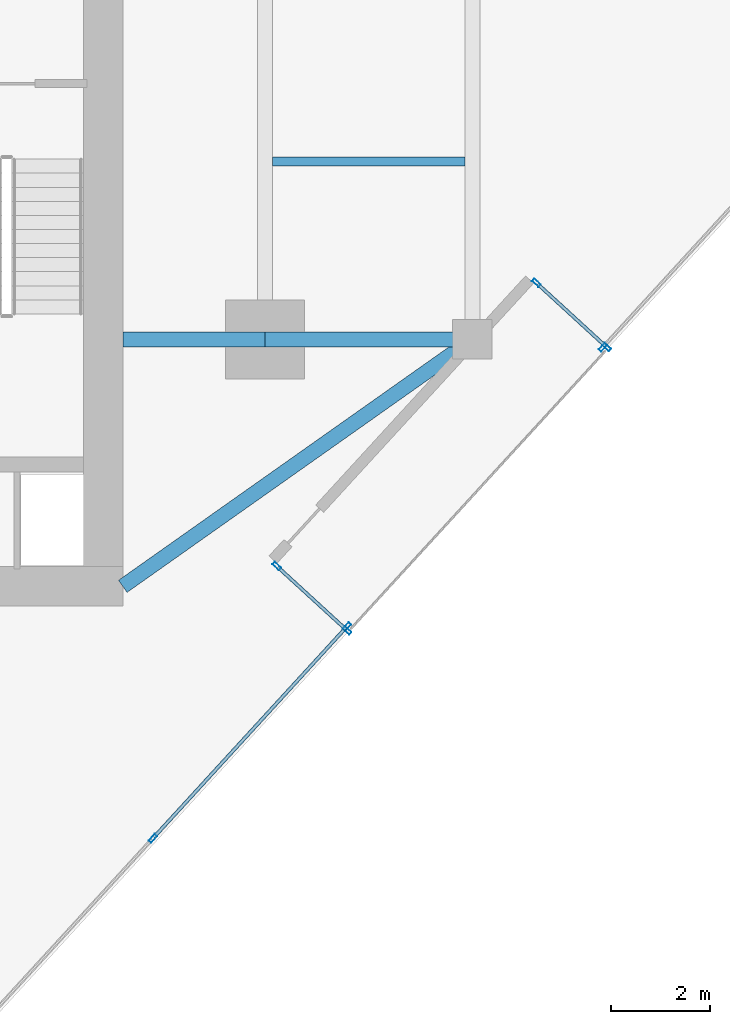
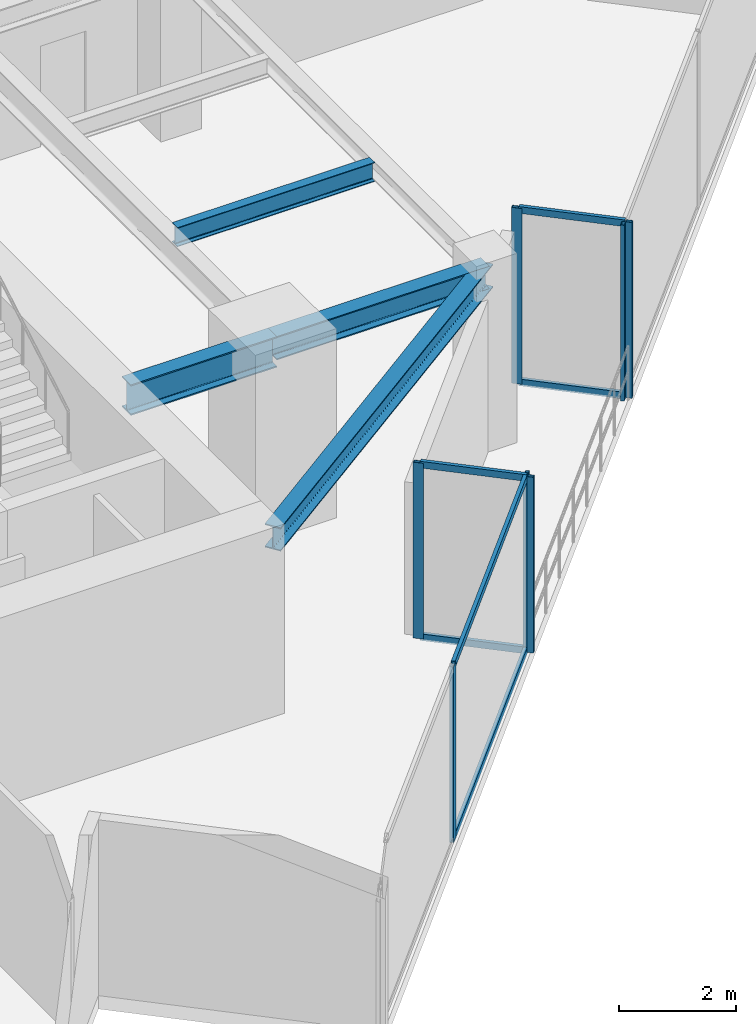
# One storey, part 10 of 26: 13 members, 4 beams, 4 elements without a shape of their own.
"""IFC4 building model written with IfcOpenShell, lengths in metres."""

import ifcopenshell
import ifcopenshell.guid

model = None  # the IFC model being written
_history = None  # IfcOwnerHistory: only IFC2X3 demands one
_inside = {}  # id of a spatial element -> (the spatial element, [elements in it])
_under = {}  # id of a project, library or spatial element -> (it, [spatial elements below it])
_declared = {}  # id of a project -> (the project, [libraries it declares])
_typed = {}  # id of a type object -> (the type object, [elements of that type])
_made_of = {}  # id of a material, layer set ... -> (it, [elements and type objects made of it])


def new_model(schema):
    """Start an empty IFC model of exactly this schema.

    Asked for "IFC4X3", IfcOpenShell would pick the latest addendum, in which some entities
    have other attributes; the version numbers below select the first issue.
    IFC2X3 requires an IfcOwnerHistory on every rooted entity: one is made here for all.
    """
    global model, _history
    if schema == "IFC4X3":
        model = ifcopenshell.file(schema_version=(4, 3, 0, 0))
    else:
        model = ifcopenshell.file(schema=schema)
    _inside.clear()
    _under.clear()
    _declared.clear()
    _typed.clear()
    _made_of.clear()
    _history = None
    if model.schema == "IFC2X3":
        org = make("IfcOrganization", Name="unknown")
        user = make(
            "IfcPersonAndOrganization",
            ThePerson=make("IfcPerson", FamilyName="unknown"),
            TheOrganization=org,
        )
        app = make(
            "IfcApplication",
            ApplicationDeveloper=org,
            Version="unknown",
            ApplicationFullName="unknown",
            ApplicationIdentifier="unknown",
        )
        _history = make(
            "IfcOwnerHistory",
            OwningUser=user,
            OwningApplication=app,
            ChangeAction="ADDED",
            CreationDate=0,
        )
    return model


def make(cls, **values):
    """One entity of the class cls with the attributes given. An attribute that is None is left unset."""
    return model.create_entity(
        cls, **{name: value for name, value in values.items() if value is not None}
    )


def rooted(cls, **values):
    """An entity with a GlobalId (a new one), such as an element, a storey or a relation."""
    return make(cls, GlobalId=ifcopenshell.guid.new(), OwnerHistory=_history, **values)


def si_unit(unit_type, name, prefix=None):
    """IfcSIUnit, for example si_unit("LENGTHUNIT", "METRE", prefix="MILLI")."""
    return make("IfcSIUnit", UnitType=unit_type, Prefix=prefix, Name=name)


def assignment(units):
    """IfcUnitAssignment: the units of a project."""
    return None if units is None else make("IfcUnitAssignment", Units=units)


def point(xyz):
    """IfcCartesianPoint."""
    return None if xyz is None else make("IfcCartesianPoint", Coordinates=xyz)


def direction(xyz):
    """IfcDirection."""
    return None if xyz is None else make("IfcDirection", DirectionRatios=xyz)


def frame(location, z_axis=None, x_axis=None):
    """IfcAxis2Placement3D, a coordinate frame: its origin and axes. An axis left out is left unset."""
    return make(
        "IfcAxis2Placement3D",
        Location=point(location),
        Axis=direction(z_axis),
        RefDirection=direction(x_axis),
    )


def frame_2d(location, x_axis=None):
    """IfcAxis2Placement2D, a coordinate frame in the plane: its origin and x axis."""
    return make(
        "IfcAxis2Placement2D", Location=point(location), RefDirection=direction(x_axis)
    )


def origin():
    """The frame at (0, 0, 0) with its axes left unset."""
    return frame((0.0, 0.0, 0.0))


def origin_2d():
    """The frame at (0, 0) in the plane with its x axis left unset."""
    return frame_2d((0.0, 0.0))


def place(relative_to, where):
    """IfcLocalPlacement: puts the frame where relative to a parent placement (None: the world)."""
    return make(
        "IfcLocalPlacement", PlacementRelTo=relative_to, RelativePlacement=where
    )


def context(
    kind, dimensions, precision=None, world=None, true_north=None, identifier=None
):
    """IfcGeometricRepresentationContext, for example the 3D "Model" context."""
    return make(
        "IfcGeometricRepresentationContext",
        ContextIdentifier=identifier,
        ContextType=kind,
        CoordinateSpaceDimension=dimensions,
        Precision=precision,
        WorldCoordinateSystem=world,
        TrueNorth=true_north,
    )


def subcontext(parent, identifier, kind, view, scale=None):
    """IfcGeometricRepresentationSubContext, for example "Body" below "Model"."""
    return make(
        "IfcGeometricRepresentationSubContext",
        ContextIdentifier=identifier,
        ContextType=kind,
        ParentContext=parent,
        TargetScale=scale,
        TargetView=view,
    )


def project(units=None, contexts=None):
    """IfcProject with its units and contexts."""
    return rooted(
        "IfcProject",
        Name="project",
        RepresentationContexts=contexts,
        UnitsInContext=assignment(units),
    )


def spatial(cls, under=None, at=None, **own):
    """A site, building, storey or space (cls), placed at a placement, below another one or the project."""
    s = rooted(cls, ObjectPlacement=at, **own)
    if under is not None:
        _under.setdefault(under.id(), (under, []))[1].append(s)
    return s


def profile(cls, at=None, kind="AREA", **sizes):
    """A parametric profile (cls). Its sizes go by their IFC names, for example OverallWidth=200.0."""
    return make(cls, ProfileType=kind, Position=at, **sizes)


def hollow_rectangle(**sizes):
    """IfcRectangleHollowProfileDef."""
    return profile("IfcRectangleHollowProfileDef", **sizes)


def i_section(**sizes):
    """IfcIShapeProfileDef."""
    return profile("IfcIShapeProfileDef", **sizes)


def extrude(swept, where, along, depth):
    """IfcExtrudedAreaSolid: the profile swept, set in the frame where, extruded along a direction by depth."""
    return make(
        "IfcExtrudedAreaSolid",
        SweptArea=swept,
        Position=where,
        ExtrudedDirection=direction(along),
        Depth=depth,
    )


def shape(context_of_items, identifier, shape_type, items):
    """IfcShapeRepresentation: the items that make up one representation, for example the "Body"."""
    return make(
        "IfcShapeRepresentation",
        ContextOfItems=context_of_items,
        RepresentationIdentifier=identifier,
        RepresentationType=shape_type,
        Items=items,
    )


def source(mapping_origin, context_of_items, identifier, shape_type, items):
    """IfcRepresentationMap: a shape defined once, which mapped items show again and again."""
    return make(
        "IfcRepresentationMap",
        MappingOrigin=mapping_origin,
        MappedRepresentation=shape(context_of_items, identifier, shape_type, items),
    )


def transform(
    local_origin,
    x_axis=None,
    y_axis=None,
    z_axis=None,
    scale=None,
    scale2=None,
    scale3=None,
    uniform=True,
):
    """IfcCartesianTransformationOperator3D, or its non-uniform kind. x_axis, y_axis, z_axis: its Axis1, 2, 3."""
    if uniform:
        return make(
            "IfcCartesianTransformationOperator3D",
            Axis1=direction(x_axis),
            Axis2=direction(y_axis),
            LocalOrigin=point(local_origin),
            Scale=scale,
            Axis3=direction(z_axis),
        )
    return make(
        "IfcCartesianTransformationOperator3DnonUniform",
        Axis1=direction(x_axis),
        Axis2=direction(y_axis),
        LocalOrigin=point(local_origin),
        Scale=scale,
        Axis3=direction(z_axis),
        Scale2=scale2,
        Scale3=scale3,
    )


def mapped(mapping_source, mapping_target):
    """IfcMappedItem: shows the shape of a source again, moved by a transform."""
    return make(
        "IfcMappedItem", MappingSource=mapping_source, MappingTarget=mapping_target
    )


def material(Name=None, Category=None):
    """IfcMaterial."""
    return make("IfcMaterial", Name=Name, Category=Category)


def material_profile(
    of_material, cross_section, Name=None, Category=None, Priority=None
):
    """IfcMaterialProfile: a cross section and its material."""
    return make(
        "IfcMaterialProfile",
        Name=Name,
        Material=of_material,
        Profile=cross_section,
        Priority=Priority,
        Category=Category,
    )


def profile_set(profiles, Name=None, composite=None):
    """IfcMaterialProfileSet."""
    return make(
        "IfcMaterialProfileSet",
        Name=Name,
        MaterialProfiles=profiles,
        CompositeProfile=composite,
    )


def made_of(thing, what):
    """Note that an element or type object is made of a material, layer set ...; save() writes the relation."""
    if what is not None:
        _made_of.setdefault(what.id(), (what, []))[1].append(thing)
    return thing


def type_object(cls, material=None, **own):
    """A type object (cls), such as IfcWallType, which elements share."""
    return made_of(rooted(cls, **own), material)


def type_shapes(of_type, sources):
    """Give a type object the sources (RepresentationMaps) that its elements show as mapped items."""
    of_type.RepresentationMaps = sources


def element(
    cls,
    number,
    at=None,
    inside=None,
    cuts=None,
    type_object=None,
    material=None,
    context=None,
    identifier="Body",
    shape_type=None,
    held_by="IfcProductDefinitionShape",
    body=None,
    shapes=None,
    **own,
):
    """One element of the class cls, such as IfcWall. Its Tag is "e" and its number.

    at: its placement. inside: the storey or other place that contains it. cuts: it is an
    opening in that element (IfcRelVoidsElement). A single representation is given by context,
    identifier, shape_type and body (its items); several are given by shapes. held_by: the class
    of the entity that holds the representations. save() writes the other relations.
    """
    e = rooted(cls, Tag="e%d" % number, ObjectPlacement=at, **own)
    if body is not None:
        shapes = [shape(context, identifier, shape_type, body)]
    if shapes is not None:
        e.Representation = make(held_by, Representations=shapes)
    if inside is not None:
        _inside.setdefault(inside.id(), (inside, []))[1].append(e)
    if cuts is not None:
        rooted(
            "IfcRelVoidsElement", RelatingBuildingElement=cuts, RelatedOpeningElement=e
        )
    if type_object is not None:
        _typed.setdefault(type_object.id(), (type_object, []))[1].append(e)
    return made_of(e, material)


def aggregate(whole, parts):
    """IfcRelAggregates: a whole, such as a stair, and the parts it consists of."""
    return rooted("IfcRelAggregates", RelatingObject=whole, RelatedObjects=parts)


def save(model, path):
    """Write the relations noted so far, then the file.

    IfcRelAggregates (storeys below a building ...), IfcRelContainedInSpatialStructure (elements
    in a storey), IfcRelDefinesByType, IfcRelAssociatesMaterial and IfcRelDeclares: one each for
    every whole, place, type object, material and project.
    """
    for whole, parts in _under.values():
        aggregate(whole, parts)
    for where, things in _inside.values():
        rooted(
            "IfcRelContainedInSpatialStructure",
            RelatedElements=things,
            RelatingStructure=where,
        )
    for kind, things in _typed.values():
        rooted("IfcRelDefinesByType", RelatedObjects=things, RelatingType=kind)
    for what, things in _made_of.values():
        rooted("IfcRelAssociatesMaterial", RelatedObjects=things, RelatingMaterial=what)
    for by, libraries in _declared.values():
        rooted("IfcRelDeclares", RelatingContext=by, RelatedDefinitions=libraries)
    model.write(path)


model = new_model("IFC4")

# Units and contexts
model_context = context("Model", 3, precision=1e-05, world=origin(), true_north=direction((0.0, 1.0)))
body_context = subcontext(model_context, "Body", "Model", "MODEL_VIEW")
ifc_project = project(units=[si_unit("LENGTHUNIT", "METRE"), si_unit("AREAUNIT", "SQUARE_METRE"), si_unit("VOLUMEUNIT", "CUBIC_METRE"), si_unit("PLANEANGLEUNIT", "RADIAN"), si_unit("MASSUNIT", "GRAM", prefix="KILO")], contexts=[model_context])

# Site, building, storey
site_placement = place(None, origin())
site = spatial("IfcSite", under=ifc_project, at=site_placement, CompositionType="ELEMENT")
building_placement = place(site_placement, origin())
building = spatial("IfcBuilding", under=site, at=building_placement, Name="Krantzveldt Concourse Tower", CompositionType="ELEMENT")
storey_placement = place(building_placement, frame((0.0, 0.0, 223.10009765625)))
storey = spatial("IfcBuildingStorey", under=building, at=storey_placement, Name="L54", CompositionType="ELEMENT", Elevation=223.10009765625)

# Beams
ifc_material_1 = material(Name="Steel S355JR", Category="steel")
ifc_material_profile_1 = material_profile(ifc_material_1, i_section(OverallWidth=0.300048828125, OverallDepth=0.639892578125, WebThickness=0.013427734375, FlangeThickness=0.02587890625, FilletRadius=0.027099609375, at=origin_2d()), Name="Steel S355JR", Category="steel")
ifc_profile_set_1 = profile_set([ifc_material_profile_1], Name="Steel S355JR - HEA 650")
beam_type_1 = type_object("IfcBeamType", Name="BM-B-HEA650", PredefinedType="BEAM", material=ifc_profile_set_1)
shared_shape_1 = source(origin(), body_context, "Body", "SweptSolid", [
    extrude(i_section(OverallWidth=0.300048828125, OverallDepth=0.639892578125, WebThickness=0.013427734375, FlangeThickness=0.02587890625, FilletRadius=0.027099609375, at=origin_2d()), origin(), (0.0, 0.0, 1.0), 2.880126953125),
])
type_shapes(beam_type_1, [shared_shape_1])
beam_1_placement = place(storey_placement, frame((43.919921875, 15.89990234375, 3.349853515625), z_axis=(1.0, 0.0, 0.0), x_axis=(0.0, 1.0, 0.0)))
element("IfcBeam", 1, at=beam_1_placement, inside=storey, type_object=beam_type_1, Name="L54 Tower Girder BG-CE1", PredefinedType="BEAM", context=body_context, shape_type="MappedRepresentation", body=[
    mapped(shared_shape_1, transform((0.0, 0.0, 0.0), x_axis=(1.0, 0.0, 0.0), y_axis=(0.0, 1.0, 0.0), z_axis=(0.0, 0.0, 1.0), scale=1.0)),
])
ifc_material_profile_2 = material_profile(ifc_material_1, i_section(OverallWidth=0.300048828125, OverallDepth=0.489990234375, WebThickness=0.011962890625, FlangeThickness=0.02294921875, FilletRadius=0.027099609375, at=origin_2d()), Name="Steel S355JR", Category="steel")
ifc_profile_set_2 = profile_set([ifc_material_profile_2], Name="Steel S355JR - HEA 500")
beam_type_2 = type_object("IfcBeamType", Name="BM-B-HEA500", PredefinedType="BEAM", material=ifc_profile_set_2)
shared_shape_2 = source(origin(), body_context, "Body", "SweptSolid", [
    extrude(i_section(OverallWidth=0.300048828125, OverallDepth=0.489990234375, WebThickness=0.011962890625, FlangeThickness=0.02294921875, FilletRadius=0.027099609375, at=origin_2d()), origin(), (0.0, 0.0, 1.0), 4.199951171875),
])
beam_2_placement = place(storey_placement, frame((46.800048828125, 15.89990234375, 3.4248046875), z_axis=(1.0, 0.0, 0.0), x_axis=(0.0, 1.0, 0.0)))
element("IfcBeam", 2, at=beam_2_placement, inside=storey, type_object=beam_type_2, Name="L54 Tower Girder BR-RR1", PredefinedType="BEAM", context=body_context, shape_type="MappedRepresentation", body=[
    mapped(shared_shape_2, transform((0.0, 0.0, 0.0), x_axis=(1.0, 0.0, 0.0), y_axis=(0.0, 1.0, 0.0), z_axis=(0.0, 0.0, 1.0), scale=1.0)),
])
shared_shape_3 = source(origin(), body_context, "Body", "SweptSolid", [
    extrude(i_section(OverallWidth=0.300048828125, OverallDepth=0.489990234375, WebThickness=0.011962890625, FlangeThickness=0.02294921875, FilletRadius=0.027099609375, at=origin_2d()), origin(), (0.0, 0.0, 1.0), 8.667724609375),
])
type_shapes(beam_type_2, [shared_shape_2, shared_shape_3])
beam_3_placement = place(storey_placement, frame((51.0, 15.89990234375, 3.4248046875), z_axis=(-0.81684294656, -0.576860122261, 0.0), x_axis=(0.576860122261, -0.81684294656, 0.0)))
element("IfcBeam", 3, at=beam_3_placement, inside=storey, type_object=beam_type_2, Name="L54 Tower Girder BR-CSE", PredefinedType="BEAM", context=body_context, shape_type="MappedRepresentation", body=[
    mapped(shared_shape_3, transform((0.0, 0.0, 0.0), x_axis=(1.0, 0.0, 0.0), y_axis=(0.0, 1.0, 0.0), z_axis=(0.0, 0.0, 1.0), scale=1.0)),
])
ifc_material_profile_3 = material_profile(ifc_material_1, i_section(OverallWidth=0.179931640625, OverallDepth=0.39990234375, WebThickness=0.008544921875, FlangeThickness=0.013427734375, FilletRadius=0.02099609375, at=origin_2d()), Name="Steel S355JR", Category="steel")
ifc_profile_set_3 = profile_set([ifc_material_profile_3], Name="Steel S355JR - IPE 400")
beam_type_3 = type_object("IfcBeamType", Name="BM-J-IPE400", PredefinedType="JOIST", material=ifc_profile_set_3)
shared_shape_4 = source(origin(), body_context, "Body", "SweptSolid", [
    extrude(i_section(OverallWidth=0.179931640625, OverallDepth=0.39990234375, WebThickness=0.008544921875, FlangeThickness=0.013427734375, FilletRadius=0.02099609375, at=origin_2d()), origin(), (0.0, 0.0, 1.0), 3.900146484375),
])
type_shapes(beam_type_3, [shared_shape_4])
beam_4_placement = place(storey_placement, frame((46.949951171875, 19.5, 3.469970703125), z_axis=(1.0, 0.0, 0.0), x_axis=(0.0, 1.0, 0.0)))
element("IfcBeam", 4, at=beam_4_placement, inside=storey, type_object=beam_type_3, Name="L54 Secondary Floor Joist JE-1", PredefinedType="JOIST", context=body_context, shape_type="MappedRepresentation", body=[
    mapped(shared_shape_4, transform((0.0, 0.0, 0.0), x_axis=(1.0, 0.0, 0.0), y_axis=(0.0, 1.0, 0.0), z_axis=(0.0, 0.0, 1.0), scale=1.0)),
])

# Curtain wall, members
ifc_material_2 = material(Name="Anodised aluminium 6063-T6", Category="aluminium")
curtain_wall_type_1 = type_object("IfcCurtainWallType", Name="CW3", PredefinedType="USERDEFINED", material=ifc_material_2)
curtain_wall_1_placement = place(storey_placement, origin())
curtain_wall_1 = element("IfcCurtainWall", 5, at=curtain_wall_1_placement, inside=storey, type_object=curtain_wall_type_1, Name="CW-L54-F07", ObjectType="UNITISED CURTAIN WALL", PredefinedType="USERDEFINED")
ifc_material_profile_4 = material_profile(ifc_material_2, hollow_rectangle(XDim=0.070068359375, YDim=0.179931640625, WallThickness=0.0048828125, at=origin_2d()), Name="Anodised aluminium 6063-T6", Category="aluminium")
ifc_profile_set_4 = profile_set([ifc_material_profile_4], Name="Anodised aluminium 6063-T6 - ALU-MULL 180x70x5")
member_type_1 = type_object("IfcMemberType", Name="CW-MUL-180", PredefinedType="MULLION", material=ifc_profile_set_4)
shared_shape_5 = source(origin(), body_context, "Body", "SweptSolid", [
    extrude(hollow_rectangle(XDim=0.070068359375, YDim=0.179931640625, WallThickness=0.0048828125, at=origin_2d()), origin(), (0.0, 0.0, 1.0), 3.669921875),
])
type_shapes(member_type_1, [shared_shape_5])
member_1_placement = place(storey_placement, frame((44.5283203125, 5.79638671875, 0.0), z_axis=(0.0, 0.0, 1.0), x_axis=(-0.737277769208, 0.675589735736, 0.0)))
member_1 = element("IfcMember", 6, at=member_1_placement, type_object=member_type_1, Name="CW-Z34 mullion 2", PredefinedType="MULLION", context=body_context, shape_type="MappedRepresentation", body=[
    mapped(shared_shape_5, transform((0.0, 0.0, 0.0), x_axis=(1.0, 0.0, 0.0), y_axis=(0.0, 1.0, 0.0), z_axis=(0.0, 0.0, 1.0), scale=1.0)),
])
member_2_placement = place(storey_placement, frame((48.45703125, 10.083740234375, 0.0), z_axis=(0.0, 0.0, 1.0), x_axis=(-0.737277769208, 0.675589735736, 0.0)))
member_2 = element("IfcMember", 7, at=member_2_placement, type_object=member_type_1, Name="CW-Z34 mullion 3", PredefinedType="MULLION", context=body_context, shape_type="MappedRepresentation", body=[
    mapped(shared_shape_5, transform((0.0, 0.0, 0.0), x_axis=(1.0, 0.0, 0.0), y_axis=(0.0, 1.0, 0.0), z_axis=(0.0, 0.0, 1.0), scale=1.0)),
])

curtain_wall_type_2 = type_object("IfcCurtainWallType", Name="CW6", PredefinedType="USERDEFINED", material=ifc_material_2)
curtain_wall_2_placement = place(storey_placement, origin())
curtain_wall_2 = element("IfcCurtainWall", 8, at=curtain_wall_2_placement, inside=storey, type_object=curtain_wall_type_2, Name="CW-L54-TR08", ObjectType="UNITISED CURTAIN WALL", PredefinedType="USERDEFINED")
member_3_placement = place(storey_placement, frame((48.46044921875, 10.006103515625, 0.0), z_axis=(0.0, 0.0, 1.0), x_axis=(-0.675591258718, -0.737276373651, 0.0)))
member_3 = element("IfcMember", 9, at=member_3_placement, type_object=member_type_1, Name="CW-TERR mullion 1", PredefinedType="MULLION", context=body_context, shape_type="MappedRepresentation", body=[
    mapped(shared_shape_5, transform((0.0, 0.0, 0.0), x_axis=(1.0, 0.0, 0.0), y_axis=(0.0, 1.0, 0.0), z_axis=(0.0, 0.0, 1.0), scale=1.0)),
])
member_4_placement = place(storey_placement, frame((47.037353515625, 11.309814453125, 0.0), z_axis=(0.0, 0.0, 1.0), x_axis=(-0.675591258718, -0.737276373651, 0.0)))
member_4 = element("IfcMember", 10, at=member_4_placement, type_object=member_type_1, Name="CW-TERR mullion 2", PredefinedType="MULLION", context=body_context, shape_type="MappedRepresentation", body=[
    mapped(shared_shape_5, transform((0.0, 0.0, 0.0), x_axis=(1.0, 0.0, 0.0), y_axis=(0.0, 1.0, 0.0), z_axis=(0.0, 0.0, 1.0), scale=1.0)),
])

curtain_wall_3_placement = place(storey_placement, origin())
curtain_wall_3 = element("IfcCurtainWall", 11, at=curtain_wall_3_placement, inside=storey, type_object=curtain_wall_type_2, Name="CW-L54-TR10", ObjectType="UNITISED CURTAIN WALL", PredefinedType="USERDEFINED")
member_5_placement = place(storey_placement, frame((52.29345703125, 17.0458984375, 0.0), z_axis=(0.0, 0.0, 1.0), x_axis=(0.675591486119, 0.737276165275, 0.0)))
member_5 = element("IfcMember", 12, at=member_5_placement, type_object=member_type_1, Name="CW-TERR mullion 1", PredefinedType="MULLION", context=body_context, shape_type="MappedRepresentation", body=[
    mapped(shared_shape_5, transform((0.0, 0.0, 0.0), x_axis=(1.0, 0.0, 0.0), y_axis=(0.0, 1.0, 0.0), z_axis=(0.0, 0.0, 1.0), scale=1.0)),
])
member_6_placement = place(storey_placement, frame((53.71630859375, 15.741943359375, 0.0), z_axis=(0.0, 0.0, 1.0), x_axis=(0.675591486119, 0.737276165275, 0.0)))
member_6 = element("IfcMember", 13, at=member_6_placement, type_object=member_type_1, Name="CW-TERR mullion 2", PredefinedType="MULLION", context=body_context, shape_type="MappedRepresentation", body=[
    mapped(shared_shape_5, transform((0.0, 0.0, 0.0), x_axis=(1.0, 0.0, 0.0), y_axis=(0.0, 1.0, 0.0), z_axis=(0.0, 0.0, 1.0), scale=1.0)),
])

# Curtain wall, member
curtain_wall_4_placement = place(storey_placement, origin())
curtain_wall_4 = element("IfcCurtainWall", 14, at=curtain_wall_4_placement, inside=storey, type_object=curtain_wall_type_1, Name="CW-L54-F11", ObjectType="UNITISED CURTAIN WALL", PredefinedType="USERDEFINED")
member_7_placement = place(storey_placement, frame((53.638671875, 15.73876953125, 0.0), z_axis=(0.0, 0.0, 1.0), x_axis=(-0.737277769208, 0.675589735736, 0.0)))
member_7 = element("IfcMember", 15, at=member_7_placement, type_object=member_type_1, Name="CW-Z34 mullion 1", PredefinedType="MULLION", context=body_context, shape_type="MappedRepresentation", body=[
    mapped(shared_shape_5, transform((0.0, 0.0, 0.0), x_axis=(1.0, 0.0, 0.0), y_axis=(0.0, 1.0, 0.0), z_axis=(0.0, 0.0, 1.0), scale=1.0)),
])
aggregate(curtain_wall_4, [member_7])

# Member
ifc_material_profile_5 = material_profile(ifc_material_2, hollow_rectangle(XDim=0.070068359375, YDim=0.139892578125, WallThickness=0.0048828125, at=origin_2d()), Name="Anodised aluminium 6063-T6", Category="aluminium")
ifc_profile_set_5 = profile_set([ifc_material_profile_5], Name="Anodised aluminium 6063-T6 - ALU-TRAN 140x70x5")
member_type_2 = type_object("IfcMemberType", Name="CW-TRN-150", PredefinedType="USERDEFINED", material=ifc_profile_set_5)
shared_shape_6 = source(origin(), body_context, "Body", "SweptSolid", [
    extrude(hollow_rectangle(XDim=0.070068359375, YDim=0.139892578125, WallThickness=0.0048828125, at=origin_2d()), origin(), (0.0, 0.0, 1.0), 1.860107421875),
])
member_8_placement = place(storey_placement, frame((48.4345703125, 10.02978515625, 0.034912109375), z_axis=(-0.737279442319, 0.675587909848, 0.0), x_axis=(-0.675587909848, -0.737279442319, 0.0)))
member_8 = element("IfcMember", 16, at=member_8_placement, type_object=member_type_2, Name="CW-TERR transom 1.1", ObjectType="TRANSOM", PredefinedType="USERDEFINED", context=body_context, shape_type="MappedRepresentation", body=[
    mapped(shared_shape_6, transform((0.0, 0.0, 0.0), x_axis=(1.0, 0.0, 0.0), y_axis=(0.0, 1.0, 0.0), z_axis=(0.0, 0.0, 1.0), scale=1.0)),
])

member_9_placement = place(storey_placement, frame((48.4345703125, 10.02978515625, 3.635009765625), z_axis=(-0.737279442319, 0.675587909848, 0.0), x_axis=(-0.675587909848, -0.737279442319, 0.0)))
member_9 = element("IfcMember", 17, at=member_9_placement, type_object=member_type_2, Name="CW-TERR transom 1.2", ObjectType="TRANSOM", PredefinedType="USERDEFINED", context=body_context, shape_type="MappedRepresentation", body=[
    mapped(shared_shape_6, transform((0.0, 0.0, 0.0), x_axis=(1.0, 0.0, 0.0), y_axis=(0.0, 1.0, 0.0), z_axis=(0.0, 0.0, 1.0), scale=1.0)),
])

aggregate(curtain_wall_2, [member_3, member_4, member_8, member_9])

member_10_placement = place(storey_placement, frame((52.3193359375, 17.022216796875, 0.034912109375), z_axis=(0.737279442319, -0.675587909848, 0.0), x_axis=(0.675587909848, 0.737279442319, 0.0)))
member_10 = element("IfcMember", 18, at=member_10_placement, type_object=member_type_2, Name="CW-TERR transom 1.1", ObjectType="TRANSOM", PredefinedType="USERDEFINED", context=body_context, shape_type="MappedRepresentation", body=[
    mapped(shared_shape_6, transform((0.0, 0.0, 0.0), x_axis=(1.0, 0.0, 0.0), y_axis=(0.0, 1.0, 0.0), z_axis=(0.0, 0.0, 1.0), scale=1.0)),
])

member_11_placement = place(storey_placement, frame((52.3193359375, 17.022216796875, 3.635009765625), z_axis=(0.737279442319, -0.675587909848, 0.0), x_axis=(0.675587909848, 0.737279442319, 0.0)))
member_11 = element("IfcMember", 19, at=member_11_placement, type_object=member_type_2, Name="CW-TERR transom 1.2", ObjectType="TRANSOM", PredefinedType="USERDEFINED", context=body_context, shape_type="MappedRepresentation", body=[
    mapped(shared_shape_6, transform((0.0, 0.0, 0.0), x_axis=(1.0, 0.0, 0.0), y_axis=(0.0, 1.0, 0.0), z_axis=(0.0, 0.0, 1.0), scale=1.0)),
])

aggregate(curtain_wall_3, [member_5, member_6, member_10, member_11])

shared_shape_7 = source(origin(), body_context, "Body", "SweptSolid", [
    extrude(hollow_rectangle(XDim=0.070068359375, YDim=0.139892578125, WallThickness=0.0048828125, at=origin_2d()), origin(), (0.0, 0.0, 1.0), 5.7451171875),
])
type_shapes(member_type_2, [shared_shape_6, shared_shape_7])
member_12_placement = place(storey_placement, frame((44.552001953125, 5.822265625, 0.034912109375), z_axis=(0.675603385152, 0.737265261606, 0.0), x_axis=(-0.737265261606, 0.675603385152, 0.0)))
member_12 = element("IfcMember", 20, at=member_12_placement, type_object=member_type_2, Name="CW-Z34 transom 2.1", ObjectType="TRANSOM", PredefinedType="USERDEFINED", context=body_context, shape_type="MappedRepresentation", body=[
    mapped(shared_shape_7, transform((0.0, 0.0, 0.0), x_axis=(1.0, 0.0, 0.0), y_axis=(0.0, 1.0, 0.0), z_axis=(0.0, 0.0, 1.0), scale=1.0)),
])

member_13_placement = place(storey_placement, frame((44.552001953125, 5.822265625, 3.635009765625), z_axis=(0.675603385152, 0.737265261606, 0.0), x_axis=(-0.737265261606, 0.675603385152, 0.0)))
member_13 = element("IfcMember", 21, at=member_13_placement, type_object=member_type_2, Name="CW-Z34 transom 2.2", ObjectType="TRANSOM", PredefinedType="USERDEFINED", context=body_context, shape_type="MappedRepresentation", body=[
    mapped(shared_shape_7, transform((0.0, 0.0, 0.0), x_axis=(1.0, 0.0, 0.0), y_axis=(0.0, 1.0, 0.0), z_axis=(0.0, 0.0, 1.0), scale=1.0)),
])

aggregate(curtain_wall_1, [member_1, member_2, member_12, member_13])

save(model, "model.ifc")
